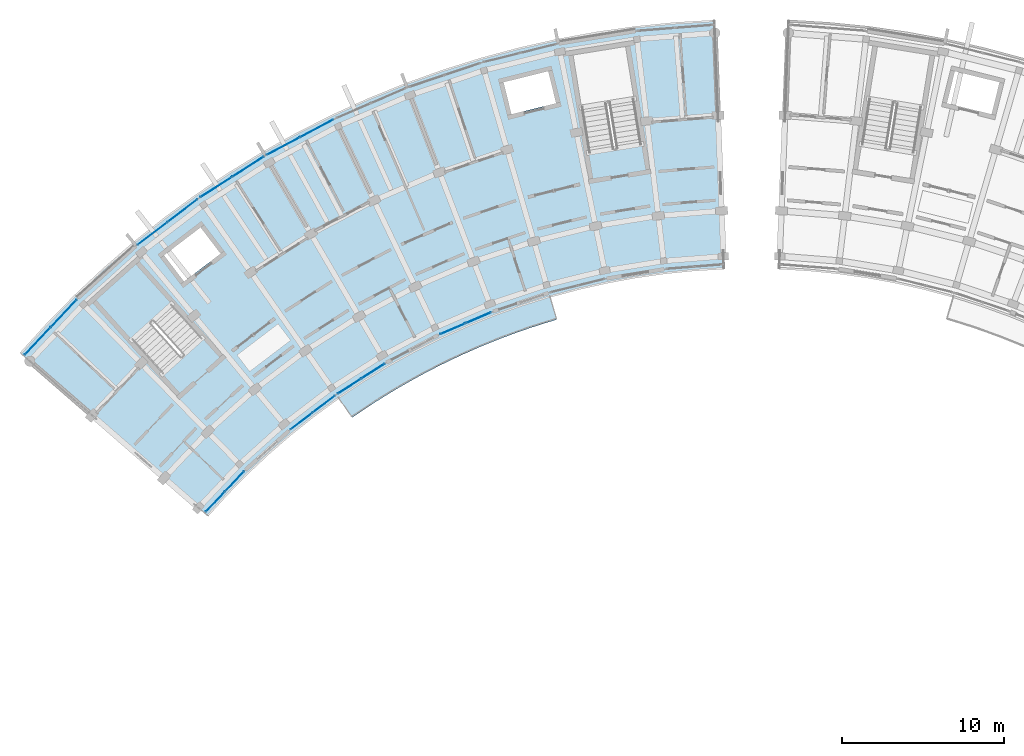
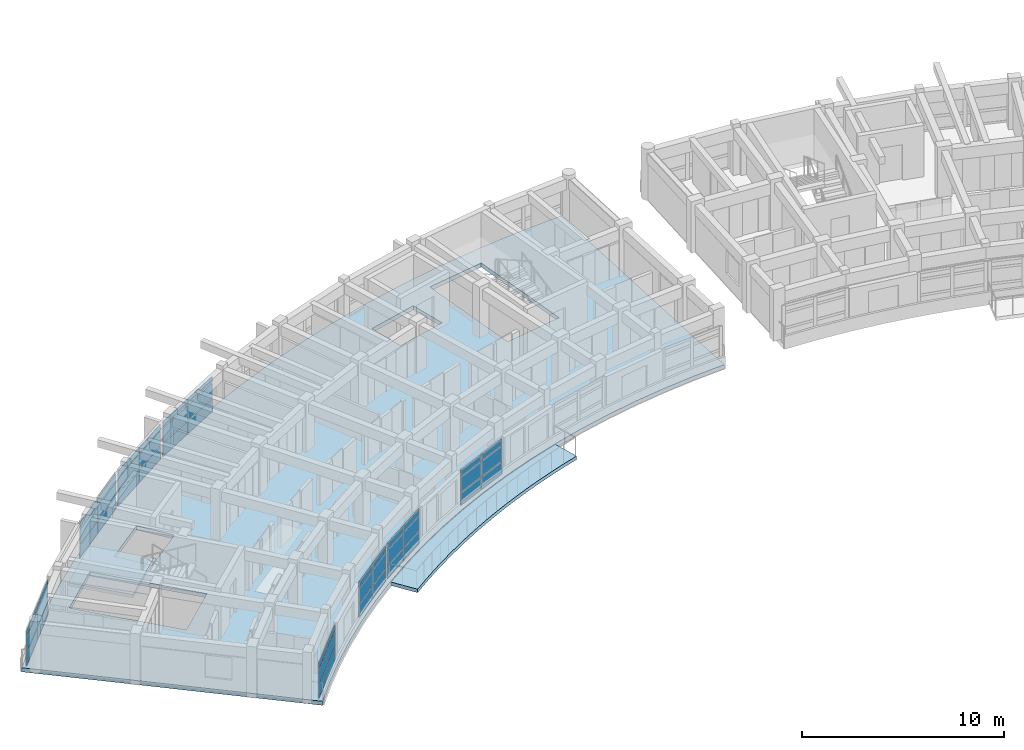
# One storey, part 20 of 54: 48 plates, 3 slabs, 9 elements without a shape of their own.
"""IFC4 building model written with IfcOpenShell, lengths in metres."""

from ifc_helpers import new_model, si_unit, direction, frame, origin, origin_2d, place, context, subcontext, project, spatial, polyline, rectangle, outline, extrude, material, layer, layer_set, type_object, element, aggregate, save


model = new_model("IFC4")

# Units and contexts
model_context = context("Model", 3, precision=1e-05, world=origin(), true_north=direction((0.0, 1.0)))
body_context = subcontext(model_context, "Body", "Model", "MODEL_VIEW")
ifc_project = project(units=[si_unit("LENGTHUNIT", "METRE"), si_unit("AREAUNIT", "SQUARE_METRE"), si_unit("VOLUMEUNIT", "CUBIC_METRE"), si_unit("PLANEANGLEUNIT", "RADIAN"), si_unit("MASSUNIT", "GRAM", prefix="KILO")], contexts=[model_context])

# Site, building, storey
site_placement = place(None, origin())
site = spatial("IfcSite", under=ifc_project, at=site_placement, CompositionType="ELEMENT")
building_placement = place(site_placement, origin())
building = spatial("IfcBuilding", under=site, at=building_placement, Name="Zimvara Arc Housing Community", CompositionType="ELEMENT")
storey_placement = place(building_placement, frame((0.0, 0.0, 23.60009765625)))
storey = spatial("IfcBuildingStorey", under=building, at=storey_placement, Name="L07", CompositionType="ELEMENT", Elevation=23.60009765625)

# Curtain wall, plates
ifc_material_1 = material(Name="Anodised Aluminium AW-6063", Category="aluminium")
curtain_wall_type_1 = type_object("IfcCurtainWallType", Name="CW-SYS-08", PredefinedType="USERDEFINED", material=ifc_material_1)
curtain_wall_1_placement = place(storey_placement, origin())
curtain_wall_1 = element("IfcCurtainWall", 1, at=curtain_wall_1_placement, inside=storey, type_object=curtain_wall_type_1, Name="cw:blkA:L07:in:b0", ObjectType="CURTAIN WALL", PredefinedType="USERDEFINED")
ifc_material_2 = material(Name="Pale-Gold Anodised Aluminium Spandrel Panel", Category="aluminium")
ifc_layer_1 = layer(ifc_material_2, 0.035888671875)
ifc_layer_set_1 = layer_set([ifc_layer_1], Name="Pale-Gold Anodised Aluminium Spandrel Panel")
plate_type_1 = type_object("IfcPlateType", Name="CWP-GLD-36", PredefinedType="CURTAIN_PANEL", material=ifc_layer_set_1)
plate_1_placement = place(storey_placement, frame((11.981689453125, 74.469482421875, 0.06494140625), z_axis=(0.0, 0.0, 1.0), x_axis=(0.686326805658, 0.727293280483, 0.0)))
plate_1 = element("IfcPlate", 2, at=plate_1_placement, type_object=plate_type_1, Name="CW08 panel 1.1", PredefinedType="CURTAIN_PANEL", context=body_context, shape_type="SweptSolid", body=[
    extrude(rectangle(XDim=1.664306640625, YDim=0.035888671875, at=origin_2d()), origin(), (0.0, 0.0, 1.0), 0.75244140625),
])
plate_2_placement = place(storey_placement, frame((11.981689453125, 74.469482421875, 0.88232421875), z_axis=(0.0, 0.0, 1.0), x_axis=(0.686326805658, 0.727293280483, 0.0)))
plate_2 = element("IfcPlate", 3, at=plate_2_placement, type_object=plate_type_1, Name="CW08 panel 1.2", PredefinedType="CURTAIN_PANEL", context=body_context, shape_type="SweptSolid", body=[
    extrude(rectangle(XDim=1.664306640625, YDim=0.035888671875, at=origin_2d()), origin(), (0.0, 0.0, 1.0), 0.885009765625),
])
plate_3_placement = place(storey_placement, frame((11.981689453125, 74.469482421875, 1.832275390625), z_axis=(0.0, 0.0, 1.0), x_axis=(0.686326805658, 0.727293280483, 0.0)))
plate_3 = element("IfcPlate", 4, at=plate_3_placement, type_object=plate_type_1, Name="CW08 panel 1.3", PredefinedType="CURTAIN_PANEL", context=body_context, shape_type="SweptSolid", body=[
    extrude(rectangle(XDim=1.664306640625, YDim=0.035888671875, at=origin_2d()), origin(), (0.0, 0.0, 1.0), 0.3525390625),
])
plate_4_placement = place(storey_placement, frame((13.168701171875, 75.727294921875, 0.06494140625), z_axis=(0.0, 0.0, 1.0), x_axis=(0.686326805658, 0.727293280483, 0.0)))
plate_4 = element("IfcPlate", 5, at=plate_4_placement, type_object=plate_type_1, Name="CW08 panel 2.1", PredefinedType="CURTAIN_PANEL", context=body_context, shape_type="SweptSolid", body=[
    extrude(rectangle(XDim=1.664306640625, YDim=0.035888671875, at=origin_2d()), origin(), (0.0, 0.0, 1.0), 0.75244140625),
])
plate_5_placement = place(storey_placement, frame((13.168701171875, 75.727294921875, 0.88232421875), z_axis=(0.0, 0.0, 1.0), x_axis=(0.686326805658, 0.727293280483, 0.0)))
plate_5 = element("IfcPlate", 6, at=plate_5_placement, type_object=plate_type_1, Name="CW08 panel 2.2", PredefinedType="CURTAIN_PANEL", context=body_context, shape_type="SweptSolid", body=[
    extrude(rectangle(XDim=1.664306640625, YDim=0.035888671875, at=origin_2d()), origin(), (0.0, 0.0, 1.0), 0.885009765625),
])
plate_6_placement = place(storey_placement, frame((13.168701171875, 75.727294921875, 1.832275390625), z_axis=(0.0, 0.0, 1.0), x_axis=(0.686326805658, 0.727293280483, 0.0)))
plate_6 = element("IfcPlate", 7, at=plate_6_placement, type_object=plate_type_1, Name="CW08 panel 2.3", PredefinedType="CURTAIN_PANEL", context=body_context, shape_type="SweptSolid", body=[
    extrude(rectangle(XDim=1.664306640625, YDim=0.035888671875, at=origin_2d()), origin(), (0.0, 0.0, 1.0), 0.3525390625),
])
aggregate(curtain_wall_1, [plate_1, plate_2, plate_3, plate_4, plate_5, plate_6])

ifc_material_3 = material(Name="Anodised Aluminium AW-6063", Category="aluminium")
curtain_wall_type_2 = type_object("IfcCurtainWallType", Name="CW-SYS-04", PredefinedType="USERDEFINED", material=ifc_material_3)
curtain_wall_2_placement = place(storey_placement, origin())
curtain_wall_2 = element("IfcCurtainWall", 8, at=curtain_wall_2_placement, inside=storey, type_object=curtain_wall_type_2, Name="cw:blkA:L07:in:b3", ObjectType="CURTAIN WALL", PredefinedType="USERDEFINED")
plate_7_placement = place(storey_placement, frame((20.23876953125, 81.58447265625, 0.06494140625), z_axis=(0.0, 0.0, 1.0), x_axis=(0.842264751752, 0.539064085203, 0.0)))
plate_7 = element("IfcPlate", 9, at=plate_7_placement, type_object=plate_type_1, Name="CW04 panel 1.1", PredefinedType="CURTAIN_PANEL", context=body_context, shape_type="SweptSolid", body=[
    extrude(rectangle(XDim=1.664306640625, YDim=0.035888671875, at=origin_2d()), origin(), (0.0, 0.0, 1.0), 0.75244140625),
])
plate_8_placement = place(storey_placement, frame((20.23876953125, 81.58447265625, 0.88232421875), z_axis=(0.0, 0.0, 1.0), x_axis=(0.842264751752, 0.539064085203, 0.0)))
plate_8 = element("IfcPlate", 10, at=plate_8_placement, type_object=plate_type_1, Name="CW04 panel 1.2", PredefinedType="CURTAIN_PANEL", context=body_context, shape_type="SweptSolid", body=[
    extrude(rectangle(XDim=1.664306640625, YDim=0.035888671875, at=origin_2d()), origin(), (0.0, 0.0, 1.0), 0.885009765625),
])
plate_9_placement = place(storey_placement, frame((20.23876953125, 81.58447265625, 1.832275390625), z_axis=(0.0, 0.0, 1.0), x_axis=(0.842264751752, 0.539064085203, 0.0)))
plate_9 = element("IfcPlate", 11, at=plate_9_placement, type_object=plate_type_1, Name="CW04 panel 1.3", PredefinedType="CURTAIN_PANEL", context=body_context, shape_type="SweptSolid", body=[
    extrude(rectangle(XDim=1.664306640625, YDim=0.035888671875, at=origin_2d()), origin(), (0.0, 0.0, 1.0), 0.3525390625),
])
plate_10_placement = place(storey_placement, frame((21.6953125, 82.5166015625, 0.06494140625), z_axis=(0.0, 0.0, 1.0), x_axis=(0.842264751752, 0.539064085203, 0.0)))
plate_10 = element("IfcPlate", 12, at=plate_10_placement, type_object=plate_type_1, Name="CW04 panel 2.1", PredefinedType="CURTAIN_PANEL", context=body_context, shape_type="SweptSolid", body=[
    extrude(rectangle(XDim=1.664306640625, YDim=0.035888671875, at=origin_2d()), origin(), (0.0, 0.0, 1.0), 0.75244140625),
])
plate_11_placement = place(storey_placement, frame((21.6953125, 82.5166015625, 0.88232421875), z_axis=(0.0, 0.0, 1.0), x_axis=(0.842264751752, 0.539064085203, 0.0)))
plate_11 = element("IfcPlate", 13, at=plate_11_placement, type_object=plate_type_1, Name="CW04 panel 2.2", PredefinedType="CURTAIN_PANEL", context=body_context, shape_type="SweptSolid", body=[
    extrude(rectangle(XDim=1.664306640625, YDim=0.035888671875, at=origin_2d()), origin(), (0.0, 0.0, 1.0), 0.885009765625),
])
plate_12_placement = place(storey_placement, frame((21.6953125, 82.5166015625, 1.832275390625), z_axis=(0.0, 0.0, 1.0), x_axis=(0.842264751752, 0.539064085203, 0.0)))
plate_12 = element("IfcPlate", 14, at=plate_12_placement, type_object=plate_type_1, Name="CW04 panel 2.3", PredefinedType="CURTAIN_PANEL", context=body_context, shape_type="SweptSolid", body=[
    extrude(rectangle(XDim=1.664306640625, YDim=0.035888671875, at=origin_2d()), origin(), (0.0, 0.0, 1.0), 0.3525390625),
])
aggregate(curtain_wall_2, [plate_7, plate_8, plate_9, plate_10, plate_11, plate_12])

ifc_material_4 = material(Name="Anodised Aluminium AW-6063", Category="aluminium")
curtain_wall_type_3 = type_object("IfcCurtainWallType", Name="CW-SYS-01", PredefinedType="USERDEFINED", material=ifc_material_4)
curtain_wall_3_placement = place(storey_placement, origin())
curtain_wall_3 = element("IfcCurtainWall", 15, at=curtain_wall_3_placement, inside=storey, type_object=curtain_wall_type_3, Name="cw:blkA:L07:out:b2", ObjectType="CURTAIN WALL", PredefinedType="USERDEFINED")
ifc_material_5 = material(Name="Solar Control Low-E Double Glazing", Category="glass")
ifc_layer_2 = layer(ifc_material_5, 0.02392578125)
ifc_layer_set_2 = layer_set([ifc_layer_2], Name="Solar Control Low-E Double Glazing")
plate_type_2 = type_object("IfcPlateType", Name="CWP-GLZ-24", PredefinedType="CURTAIN_PANEL", material=ifc_layer_set_2)
plate_13_placement = place(storey_placement, frame((8.118896484375, 90.9892578125, 0.06494140625), z_axis=(0.0, 0.0, 1.0), x_axis=(0.795473999177, 0.60598771987, 0.0)))
plate_13 = element("IfcPlate", 16, at=plate_13_placement, type_object=plate_type_2, Name="CW01 panel 1.1", PredefinedType="CURTAIN_PANEL", context=body_context, shape_type="SweptSolid", body=[
    extrude(rectangle(XDim=2.266845703125, YDim=0.02392578125, at=origin_2d()), origin(), (0.0, 0.0, 1.0), 0.75244140625),
])
plate_14_placement = place(storey_placement, frame((8.118896484375, 90.9892578125, 0.88232421875), z_axis=(0.0, 0.0, 1.0), x_axis=(0.795473999177, 0.60598771987, 0.0)))
plate_14 = element("IfcPlate", 17, at=plate_14_placement, type_object=plate_type_2, Name="CW01 panel 1.2", PredefinedType="CURTAIN_PANEL", context=body_context, shape_type="SweptSolid", body=[
    extrude(rectangle(XDim=2.266845703125, YDim=0.02392578125, at=origin_2d()), origin(), (0.0, 0.0, 1.0), 0.885009765625),
])
plate_15_placement = place(storey_placement, frame((8.118896484375, 90.9892578125, 1.832275390625), z_axis=(0.0, 0.0, 1.0), x_axis=(0.795473999177, 0.60598771987, 0.0)))
plate_15 = element("IfcPlate", 18, at=plate_15_placement, type_object=plate_type_2, Name="CW01 panel 1.3", PredefinedType="CURTAIN_PANEL", context=body_context, shape_type="SweptSolid", body=[
    extrude(rectangle(XDim=2.266845703125, YDim=0.02392578125, at=origin_2d()), origin(), (0.0, 0.0, 1.0), 0.3525390625),
])
plate_16_placement = place(storey_placement, frame((9.973876953125, 92.40234375, 0.06494140625), z_axis=(0.0, 0.0, 1.0), x_axis=(0.795473999177, 0.60598771987, 0.0)))
plate_16 = element("IfcPlate", 19, at=plate_16_placement, type_object=plate_type_2, Name="CW01 panel 2.1", PredefinedType="CURTAIN_PANEL", context=body_context, shape_type="SweptSolid", body=[
    extrude(rectangle(XDim=2.266845703125, YDim=0.02392578125, at=origin_2d()), origin(), (0.0, 0.0, 1.0), 0.75244140625),
])
plate_17_placement = place(storey_placement, frame((9.973876953125, 92.40234375, 0.88232421875), z_axis=(0.0, 0.0, 1.0), x_axis=(0.795473999177, 0.60598771987, 0.0)))
plate_17 = element("IfcPlate", 20, at=plate_17_placement, type_object=plate_type_2, Name="CW01 panel 2.2", PredefinedType="CURTAIN_PANEL", context=body_context, shape_type="SweptSolid", body=[
    extrude(rectangle(XDim=2.266845703125, YDim=0.02392578125, at=origin_2d()), origin(), (0.0, 0.0, 1.0), 0.885009765625),
])
plate_18_placement = place(storey_placement, frame((9.973876953125, 92.40234375, 1.832275390625), z_axis=(0.0, 0.0, 1.0), x_axis=(0.795473999177, 0.60598771987, 0.0)))
plate_18 = element("IfcPlate", 21, at=plate_18_placement, type_object=plate_type_2, Name="CW01 panel 2.3", PredefinedType="CURTAIN_PANEL", context=body_context, shape_type="SweptSolid", body=[
    extrude(rectangle(XDim=2.266845703125, YDim=0.02392578125, at=origin_2d()), origin(), (0.0, 0.0, 1.0), 0.3525390625),
])
aggregate(curtain_wall_3, [plate_13, plate_14, plate_15, plate_16, plate_17, plate_18])

ifc_material_6 = material(Name="Anodised Aluminium AW-6063", Category="aluminium")
curtain_wall_type_4 = type_object("IfcCurtainWallType", Name="CW-SYS-05", PredefinedType="USERDEFINED", material=ifc_material_6)
curtain_wall_4_placement = place(storey_placement, origin())
curtain_wall_4 = element("IfcCurtainWall", 22, at=curtain_wall_4_placement, inside=storey, type_object=curtain_wall_type_4, Name="cw:blkA:L07:out:b4", ObjectType="CURTAIN WALL", PredefinedType="USERDEFINED")
plate_19_placement = place(storey_placement, frame((16.1708984375, 96.36865234375, 0.06494140625), z_axis=(0.0, 0.0, 1.0), x_axis=(0.883438614651, 0.468546917761, 0.0)))
plate_19 = element("IfcPlate", 23, at=plate_19_placement, type_object=plate_type_2, Name="CW05 panel 1.1", PredefinedType="CURTAIN_PANEL", context=body_context, shape_type="SweptSolid", body=[
    extrude(rectangle(XDim=2.266845703125, YDim=0.02392578125, at=origin_2d()), origin(), (0.0, 0.0, 1.0), 0.75244140625),
])
plate_20_placement = place(storey_placement, frame((16.1708984375, 96.36865234375, 0.88232421875), z_axis=(0.0, 0.0, 1.0), x_axis=(0.883438614651, 0.468546917761, 0.0)))
plate_20 = element("IfcPlate", 24, at=plate_20_placement, type_object=plate_type_2, Name="CW05 panel 1.2", PredefinedType="CURTAIN_PANEL", context=body_context, shape_type="SweptSolid", body=[
    extrude(rectangle(XDim=2.266845703125, YDim=0.02392578125, at=origin_2d()), origin(), (0.0, 0.0, 1.0), 0.885009765625),
])
plate_21_placement = place(storey_placement, frame((16.1708984375, 96.36865234375, 1.832275390625), z_axis=(0.0, 0.0, 1.0), x_axis=(0.883438614651, 0.468546917761, 0.0)))
plate_21 = element("IfcPlate", 25, at=plate_21_placement, type_object=plate_type_2, Name="CW05 panel 1.3", PredefinedType="CURTAIN_PANEL", context=body_context, shape_type="SweptSolid", body=[
    extrude(rectangle(XDim=2.266845703125, YDim=0.02392578125, at=origin_2d()), origin(), (0.0, 0.0, 1.0), 0.3525390625),
])
plate_22_placement = place(storey_placement, frame((18.23095703125, 97.461181640625, 0.06494140625), z_axis=(0.0, 0.0, 1.0), x_axis=(0.883438614651, 0.468546917761, 0.0)))
plate_22 = element("IfcPlate", 26, at=plate_22_placement, type_object=plate_type_2, Name="CW05 panel 2.1", PredefinedType="CURTAIN_PANEL", context=body_context, shape_type="SweptSolid", body=[
    extrude(rectangle(XDim=2.266845703125, YDim=0.02392578125, at=origin_2d()), origin(), (0.0, 0.0, 1.0), 0.75244140625),
])
plate_23_placement = place(storey_placement, frame((18.23095703125, 97.461181640625, 0.88232421875), z_axis=(0.0, 0.0, 1.0), x_axis=(0.883438614651, 0.468546917761, 0.0)))
plate_23 = element("IfcPlate", 27, at=plate_23_placement, type_object=plate_type_2, Name="CW05 panel 2.2", PredefinedType="CURTAIN_PANEL", context=body_context, shape_type="SweptSolid", body=[
    extrude(rectangle(XDim=2.266845703125, YDim=0.02392578125, at=origin_2d()), origin(), (0.0, 0.0, 1.0), 0.885009765625),
])
plate_24_placement = place(storey_placement, frame((18.23095703125, 97.461181640625, 1.832275390625), z_axis=(0.0, 0.0, 1.0), x_axis=(0.883438614651, 0.468546917761, 0.0)))
plate_24 = element("IfcPlate", 28, at=plate_24_placement, type_object=plate_type_2, Name="CW05 panel 2.3", PredefinedType="CURTAIN_PANEL", context=body_context, shape_type="SweptSolid", body=[
    extrude(rectangle(XDim=2.266845703125, YDim=0.02392578125, at=origin_2d()), origin(), (0.0, 0.0, 1.0), 0.3525390625),
])
aggregate(curtain_wall_4, [plate_19, plate_20, plate_21, plate_22, plate_23, plate_24])

ifc_material_7 = material(Name="Anodised Aluminium AW-6063", Category="aluminium")
curtain_wall_type_5 = type_object("IfcCurtainWallType", Name="CW-SYS-02", PredefinedType="USERDEFINED", material=ifc_material_7)
curtain_wall_5_placement = place(storey_placement, origin())
curtain_wall_5 = element("IfcCurtainWall", 29, at=curtain_wall_5_placement, inside=storey, type_object=curtain_wall_type_5, Name="cw:blkA:L07:in:b2", ObjectType="CURTAIN WALL", PredefinedType="USERDEFINED")
ifc_material_8 = material(Name="Solar Control Low-E Double Glazing", Category="glass")
ifc_layer_3 = layer(ifc_material_8, 0.028076171875)
ifc_layer_set_3 = layer_set([ifc_layer_3], Name="Solar Control Low-E Double Glazing")
plate_type_3 = type_object("IfcPlateType", Name="CWP-GLZ-28", PredefinedType="CURTAIN_PANEL", material=ifc_layer_set_3)
plate_25_placement = place(storey_placement, frame((17.295654296875, 79.4404296875, 0.06494140625), z_axis=(0.0, 0.0, 1.0), x_axis=(0.795473543119, 0.605988318533, 0.0)))
plate_25 = element("IfcPlate", 30, at=plate_25_placement, type_object=plate_type_3, Name="CW02 panel 1.1", PredefinedType="CURTAIN_PANEL", context=body_context, shape_type="SweptSolid", body=[
    extrude(rectangle(XDim=1.664306640625, YDim=0.028076171875, at=origin_2d()), origin(), (0.0, 0.0, 1.0), 0.75244140625),
])
plate_26_placement = place(storey_placement, frame((17.295654296875, 79.4404296875, 0.88232421875), z_axis=(0.0, 0.0, 1.0), x_axis=(0.795473543119, 0.605988318533, 0.0)))
plate_26 = element("IfcPlate", 31, at=plate_26_placement, type_object=plate_type_3, Name="CW02 panel 1.2", PredefinedType="CURTAIN_PANEL", context=body_context, shape_type="SweptSolid", body=[
    extrude(rectangle(XDim=1.664306640625, YDim=0.028076171875, at=origin_2d()), origin(), (0.0, 0.0, 1.0), 0.885009765625),
])
plate_27_placement = place(storey_placement, frame((17.295654296875, 79.4404296875, 1.832275390625), z_axis=(0.0, 0.0, 1.0), x_axis=(0.795473543119, 0.605988318533, 0.0)))
plate_27 = element("IfcPlate", 32, at=plate_27_placement, type_object=plate_type_3, Name="CW02 panel 1.3", PredefinedType="CURTAIN_PANEL", context=body_context, shape_type="SweptSolid", body=[
    extrude(rectangle(XDim=1.664306640625, YDim=0.028076171875, at=origin_2d()), origin(), (0.0, 0.0, 1.0), 0.3525390625),
])
plate_28_placement = place(storey_placement, frame((18.671142578125, 80.48828125, 0.06494140625), z_axis=(0.0, 0.0, 1.0), x_axis=(0.795473543119, 0.605988318533, 0.0)))
plate_28 = element("IfcPlate", 33, at=plate_28_placement, type_object=plate_type_3, Name="CW02 panel 2.1", PredefinedType="CURTAIN_PANEL", context=body_context, shape_type="SweptSolid", body=[
    extrude(rectangle(XDim=1.664306640625, YDim=0.028076171875, at=origin_2d()), origin(), (0.0, 0.0, 1.0), 0.75244140625),
])
plate_29_placement = place(storey_placement, frame((18.671142578125, 80.48828125, 0.88232421875), z_axis=(0.0, 0.0, 1.0), x_axis=(0.795473543119, 0.605988318533, 0.0)))
plate_29 = element("IfcPlate", 34, at=plate_29_placement, type_object=plate_type_3, Name="CW02 panel 2.2", PredefinedType="CURTAIN_PANEL", context=body_context, shape_type="SweptSolid", body=[
    extrude(rectangle(XDim=1.664306640625, YDim=0.028076171875, at=origin_2d()), origin(), (0.0, 0.0, 1.0), 0.885009765625),
])
plate_30_placement = place(storey_placement, frame((18.671142578125, 80.48828125, 1.832275390625), z_axis=(0.0, 0.0, 1.0), x_axis=(0.795473543119, 0.605988318533, 0.0)))
plate_30 = element("IfcPlate", 35, at=plate_30_placement, type_object=plate_type_3, Name="CW02 panel 2.3", PredefinedType="CURTAIN_PANEL", context=body_context, shape_type="SweptSolid", body=[
    extrude(rectangle(XDim=1.664306640625, YDim=0.028076171875, at=origin_2d()), origin(), (0.0, 0.0, 1.0), 0.3525390625),
])
aggregate(curtain_wall_5, [plate_25, plate_26, plate_27, plate_28, plate_29, plate_30])

ifc_material_9 = material(Name="Anodised Aluminium AW-6063", Category="aluminium")
curtain_wall_type_6 = type_object("IfcCurtainWallType", Name="CW-SYS-07", PredefinedType="USERDEFINED", material=ifc_material_9)
curtain_wall_6_placement = place(storey_placement, origin())
curtain_wall_6 = element("IfcCurtainWall", 36, at=curtain_wall_6_placement, inside=storey, type_object=curtain_wall_type_6, Name="cw:blkA:L07:out:b0", ObjectType="CURTAIN WALL", PredefinedType="USERDEFINED")
ifc_material_10 = material(Name="Acoustic Laminated Solar Glazing", Category="glass")
ifc_layer_4 = layer(ifc_material_10, 0.031982421875)
ifc_layer_set_4 = layer_set([ifc_layer_4], Name="Acoustic Laminated Solar Glazing")
plate_type_4 = type_object("IfcPlateType", Name="CWP-GLZ-32", PredefinedType="CURTAIN_PANEL", material=ifc_layer_set_4)
plate_31_placement = place(storey_placement, frame((1.049072265625, 84.3720703125, 0.06494140625), z_axis=(0.0, 0.0, 1.0), x_axis=(0.686326416495, 0.727293647725, 0.0)))
plate_31 = element("IfcPlate", 37, at=plate_31_placement, type_object=plate_type_4, Name="CW07 panel 1.1", PredefinedType="CURTAIN_PANEL", context=body_context, shape_type="SweptSolid", body=[
    extrude(rectangle(XDim=2.266845703125, YDim=0.031982421875, at=origin_2d()), origin(), (0.0, 0.0, 1.0), 0.75244140625),
])
plate_32_placement = place(storey_placement, frame((1.049072265625, 84.3720703125, 0.88232421875), z_axis=(0.0, 0.0, 1.0), x_axis=(0.686326416495, 0.727293647725, 0.0)))
plate_32 = element("IfcPlate", 38, at=plate_32_placement, type_object=plate_type_4, Name="CW07 panel 1.2", PredefinedType="CURTAIN_PANEL", context=body_context, shape_type="SweptSolid", body=[
    extrude(rectangle(XDim=2.266845703125, YDim=0.031982421875, at=origin_2d()), origin(), (0.0, 0.0, 1.0), 0.885009765625),
])
plate_33_placement = place(storey_placement, frame((1.049072265625, 84.3720703125, 1.832275390625), z_axis=(0.0, 0.0, 1.0), x_axis=(0.686326416495, 0.727293647725, 0.0)))
plate_33 = element("IfcPlate", 39, at=plate_33_placement, type_object=plate_type_4, Name="CW07 panel 1.3", PredefinedType="CURTAIN_PANEL", context=body_context, shape_type="SweptSolid", body=[
    extrude(rectangle(XDim=2.266845703125, YDim=0.031982421875, at=origin_2d()), origin(), (0.0, 0.0, 1.0), 0.3525390625),
])
plate_34_placement = place(storey_placement, frame((2.649658203125, 86.068115234375, 0.06494140625), z_axis=(0.0, 0.0, 1.0), x_axis=(0.686326416495, 0.727293647725, 0.0)))
plate_34 = element("IfcPlate", 40, at=plate_34_placement, type_object=plate_type_4, Name="CW07 panel 2.1", PredefinedType="CURTAIN_PANEL", context=body_context, shape_type="SweptSolid", body=[
    extrude(rectangle(XDim=2.266845703125, YDim=0.031982421875, at=origin_2d()), origin(), (0.0, 0.0, 1.0), 0.75244140625),
])
plate_35_placement = place(storey_placement, frame((2.649658203125, 86.068115234375, 0.88232421875), z_axis=(0.0, 0.0, 1.0), x_axis=(0.686326416495, 0.727293647725, 0.0)))
plate_35 = element("IfcPlate", 41, at=plate_35_placement, type_object=plate_type_4, Name="CW07 panel 2.2", PredefinedType="CURTAIN_PANEL", context=body_context, shape_type="SweptSolid", body=[
    extrude(rectangle(XDim=2.266845703125, YDim=0.031982421875, at=origin_2d()), origin(), (0.0, 0.0, 1.0), 0.885009765625),
])
plate_36_placement = place(storey_placement, frame((2.649658203125, 86.068115234375, 1.832275390625), z_axis=(0.0, 0.0, 1.0), x_axis=(0.686326416495, 0.727293647725, 0.0)))
plate_36 = element("IfcPlate", 42, at=plate_36_placement, type_object=plate_type_4, Name="CW07 panel 2.3", PredefinedType="CURTAIN_PANEL", context=body_context, shape_type="SweptSolid", body=[
    extrude(rectangle(XDim=2.266845703125, YDim=0.031982421875, at=origin_2d()), origin(), (0.0, 0.0, 1.0), 0.3525390625),
])
aggregate(curtain_wall_6, [plate_31, plate_32, plate_33, plate_34, plate_35, plate_36])

ifc_material_11 = material(Name="Anodised Aluminium AW-6063", Category="aluminium")
curtain_wall_type_7 = type_object("IfcCurtainWallType", Name="CW-SYS-03", PredefinedType="USERDEFINED", material=ifc_material_11)
curtain_wall_7_placement = place(storey_placement, origin())
curtain_wall_7 = element("IfcCurtainWall", 43, at=curtain_wall_7_placement, inside=storey, type_object=curtain_wall_type_7, Name="cw:blkA:L07:out:b3", ObjectType="CURTAIN WALL", PredefinedType="USERDEFINED")
plate_37_placement = place(storey_placement, frame((12.034912109375, 93.843505859375, 0.06494140625), z_axis=(0.0, 0.0, 1.0), x_axis=(0.842264410931, 0.539064617721, 0.0)))
plate_37 = element("IfcPlate", 44, at=plate_37_placement, type_object=plate_type_4, Name="CW03 panel 1.1", PredefinedType="CURTAIN_PANEL", context=body_context, shape_type="SweptSolid", body=[
    extrude(rectangle(XDim=2.266845703125, YDim=0.031982421875, at=origin_2d()), origin(), (0.0, 0.0, 1.0), 0.75244140625),
])
plate_38_placement = place(storey_placement, frame((12.034912109375, 93.843505859375, 0.88232421875), z_axis=(0.0, 0.0, 1.0), x_axis=(0.842264410931, 0.539064617721, 0.0)))
plate_38 = element("IfcPlate", 45, at=plate_38_placement, type_object=plate_type_4, Name="CW03 panel 1.2", PredefinedType="CURTAIN_PANEL", context=body_context, shape_type="SweptSolid", body=[
    extrude(rectangle(XDim=2.266845703125, YDim=0.031982421875, at=origin_2d()), origin(), (0.0, 0.0, 1.0), 0.885009765625),
])
plate_39_placement = place(storey_placement, frame((12.034912109375, 93.843505859375, 1.832275390625), z_axis=(0.0, 0.0, 1.0), x_axis=(0.842264410931, 0.539064617721, 0.0)))
plate_39 = element("IfcPlate", 46, at=plate_39_placement, type_object=plate_type_4, Name="CW03 panel 1.3", PredefinedType="CURTAIN_PANEL", context=body_context, shape_type="SweptSolid", body=[
    extrude(rectangle(XDim=2.266845703125, YDim=0.031982421875, at=origin_2d()), origin(), (0.0, 0.0, 1.0), 0.3525390625),
])
plate_40_placement = place(storey_placement, frame((13.9990234375, 95.1005859375, 0.06494140625), z_axis=(0.0, 0.0, 1.0), x_axis=(0.842264410931, 0.539064617721, 0.0)))
plate_40 = element("IfcPlate", 47, at=plate_40_placement, type_object=plate_type_4, Name="CW03 panel 2.1", PredefinedType="CURTAIN_PANEL", context=body_context, shape_type="SweptSolid", body=[
    extrude(rectangle(XDim=2.266845703125, YDim=0.031982421875, at=origin_2d()), origin(), (0.0, 0.0, 1.0), 0.75244140625),
])
plate_41_placement = place(storey_placement, frame((13.9990234375, 95.1005859375, 0.88232421875), z_axis=(0.0, 0.0, 1.0), x_axis=(0.842264410931, 0.539064617721, 0.0)))
plate_41 = element("IfcPlate", 48, at=plate_41_placement, type_object=plate_type_4, Name="CW03 panel 2.2", PredefinedType="CURTAIN_PANEL", context=body_context, shape_type="SweptSolid", body=[
    extrude(rectangle(XDim=2.266845703125, YDim=0.031982421875, at=origin_2d()), origin(), (0.0, 0.0, 1.0), 0.885009765625),
])
plate_42_placement = place(storey_placement, frame((13.9990234375, 95.1005859375, 1.832275390625), z_axis=(0.0, 0.0, 1.0), x_axis=(0.842264410931, 0.539064617721, 0.0)))
plate_42 = element("IfcPlate", 49, at=plate_42_placement, type_object=plate_type_4, Name="CW03 panel 2.3", PredefinedType="CURTAIN_PANEL", context=body_context, shape_type="SweptSolid", body=[
    extrude(rectangle(XDim=2.266845703125, YDim=0.031982421875, at=origin_2d()), origin(), (0.0, 0.0, 1.0), 0.3525390625),
])
aggregate(curtain_wall_7, [plate_37, plate_38, plate_39, plate_40, plate_41, plate_42])

curtain_wall_8_placement = place(storey_placement, origin())
curtain_wall_8 = element("IfcCurtainWall", 50, at=curtain_wall_8_placement, inside=storey, type_object=curtain_wall_type_6, Name="cw:blkA:L07:in:b5", ObjectType="CURTAIN WALL", PredefinedType="USERDEFINED")
plate_43_placement = place(storey_placement, frame((26.599609375, 85.11767578125, 0.06494140625), z_axis=(0.0, 0.0, 1.0), x_axis=(0.918722178415, 0.394904493375, 0.0)))
plate_43 = element("IfcPlate", 51, at=plate_43_placement, type_object=plate_type_4, Name="CW07 panel 1.1", PredefinedType="CURTAIN_PANEL", context=body_context, shape_type="SweptSolid", body=[
    extrude(rectangle(XDim=1.664306640625, YDim=0.031982421875, at=origin_2d()), origin(), (0.0, 0.0, 1.0), 0.75244140625),
])
plate_44_placement = place(storey_placement, frame((26.599609375, 85.11767578125, 0.88232421875), z_axis=(0.0, 0.0, 1.0), x_axis=(0.918722178415, 0.394904493375, 0.0)))
plate_44 = element("IfcPlate", 52, at=plate_44_placement, type_object=plate_type_4, Name="CW07 panel 1.2", PredefinedType="CURTAIN_PANEL", context=body_context, shape_type="SweptSolid", body=[
    extrude(rectangle(XDim=1.664306640625, YDim=0.031982421875, at=origin_2d()), origin(), (0.0, 0.0, 1.0), 0.885009765625),
])
plate_45_placement = place(storey_placement, frame((26.599609375, 85.11767578125, 1.832275390625), z_axis=(0.0, 0.0, 1.0), x_axis=(0.918722178415, 0.394904493375, 0.0)))
plate_45 = element("IfcPlate", 53, at=plate_45_placement, type_object=plate_type_4, Name="CW07 panel 1.3", PredefinedType="CURTAIN_PANEL", context=body_context, shape_type="SweptSolid", body=[
    extrude(rectangle(XDim=1.664306640625, YDim=0.031982421875, at=origin_2d()), origin(), (0.0, 0.0, 1.0), 0.3525390625),
])
plate_46_placement = place(storey_placement, frame((28.1884765625, 85.80078125, 0.06494140625), z_axis=(0.0, 0.0, 1.0), x_axis=(0.918722178415, 0.394904493375, 0.0)))
plate_46 = element("IfcPlate", 54, at=plate_46_placement, type_object=plate_type_4, Name="CW07 panel 2.1", PredefinedType="CURTAIN_PANEL", context=body_context, shape_type="SweptSolid", body=[
    extrude(rectangle(XDim=1.664306640625, YDim=0.031982421875, at=origin_2d()), origin(), (0.0, 0.0, 1.0), 0.75244140625),
])
plate_47_placement = place(storey_placement, frame((28.1884765625, 85.80078125, 0.88232421875), z_axis=(0.0, 0.0, 1.0), x_axis=(0.918722178415, 0.394904493375, 0.0)))
plate_47 = element("IfcPlate", 55, at=plate_47_placement, type_object=plate_type_4, Name="CW07 panel 2.2", PredefinedType="CURTAIN_PANEL", context=body_context, shape_type="SweptSolid", body=[
    extrude(rectangle(XDim=1.664306640625, YDim=0.031982421875, at=origin_2d()), origin(), (0.0, 0.0, 1.0), 0.885009765625),
])
plate_48_placement = place(storey_placement, frame((28.1884765625, 85.80078125, 1.832275390625), z_axis=(0.0, 0.0, 1.0), x_axis=(0.918722178415, 0.394904493375, 0.0)))
plate_48 = element("IfcPlate", 56, at=plate_48_placement, type_object=plate_type_4, Name="CW07 panel 2.3", PredefinedType="CURTAIN_PANEL", context=body_context, shape_type="SweptSolid", body=[
    extrude(rectangle(XDim=1.664306640625, YDim=0.031982421875, at=origin_2d()), origin(), (0.0, 0.0, 1.0), 0.3525390625),
])
aggregate(curtain_wall_8, [plate_43, plate_44, plate_45, plate_46, plate_47, plate_48])

# Stair, slab
ifc_material_12 = material(Name="Concrete C35/45", Category="concrete")
stair_type = type_object("IfcStairType", Name="STR-DL-312-310", PredefinedType="HALF_TURN_STAIR", material=ifc_material_12)
stair_placement = place(storey_placement, origin())
stair = element("IfcStair", 57, at=stair_placement, inside=storey, type_object=stair_type, Name="L07 Block A Exit Stair 1", PredefinedType="HALF_TURN_STAIR")
ifc_material_13 = material(Name="Concrete C35/45", Category="concrete")
ifc_layer_5 = layer(ifc_material_13, 0.199951171875)
ifc_layer_set_5 = layer_set([ifc_layer_5], Name="Concrete C35/45")
slab_type_1 = type_object("IfcSlabType", Name="SLB-STAIR-LND-200", PredefinedType="LANDING", material=ifc_layer_set_5)
slab_1_placement = place(storey_placement, frame((0.0, 0.0, 1.349853515625)))
slab_1 = element("IfcSlab", 58, at=slab_1_placement, type_object=slab_type_1, Name="ST-A1 landing 1", PredefinedType="LANDING", context=body_context, shape_type="SweptSolid", body=[
    extrude(outline(polyline([(9.3486328125, 86.634521484375), (7.09326171875, 89.14111328125), (4.595458984375, 86.8935546875), (6.850830078125, 84.386962890625), (9.3486328125, 86.634521484375)])), origin(), (0.0, 0.0, 1.0), 0.199951171875),
])
aggregate(stair, [slab_1])

# Slabs
ifc_material_14 = material(Name="Concrete C35/45", Category="concrete")
ifc_layer_6 = layer(ifc_material_14, 0.2099609375)
ifc_layer_set_6 = layer_set([ifc_layer_6], Name="Concrete C35/45")
slab_type_2 = type_object("IfcSlabType", Name="SLB-TER-210", PredefinedType="FLOOR", material=ifc_layer_set_6)
slab_2_placement = place(storey_placement, frame((0.0, 0.0, -0.210205078125)))
element("IfcSlab", 59, at=slab_2_placement, inside=storey, type_object=slab_type_2, Name="slab:blkA:L07:bal_in", PredefinedType="FLOOR", context=body_context, shape_type="SweptSolid", body=[
    extrude(outline(polyline([(32.59130859375, 87.099609375), (30.862548828125, 86.557373046875), (29.156982421875, 85.945068359375), (27.47802734375, 85.263671875), (25.828369140625, 84.514404296875), (24.210693359375, 83.6982421875), (22.62744140625, 82.816650390625), (21.081787109375, 81.871337890625), (19.57568359375, 80.863525390625), (20.418212890625, 79.65869140625), (21.14111328125, 80.1533203125), (21.8740234375, 80.633056640625), (22.61669921875, 81.097900390625), (23.36865234375, 81.547119140625), (24.129638671875, 81.981201171875), (24.8994140625, 82.3994140625), (25.677490234375, 82.802001953125), (26.463623046875, 83.188720703125), (27.25732421875, 83.55908203125), (28.05859375, 83.9130859375), (28.866943359375, 84.2509765625), (29.681884765625, 84.572021484375), (30.50341796875, 84.87646484375), (31.330810546875, 85.1640625), (32.1640625, 85.4345703125), (33.00244140625, 85.688232421875), (32.59130859375, 87.099609375)])), origin(), (0.0, 0.0, 1.0), 0.210205078125),
])
ifc_material_15 = material(Name="Concrete C35/45", Category="concrete")
ifc_layer_7 = layer(ifc_material_15, 0.248046875)
ifc_layer_set_7 = layer_set([ifc_layer_7], Name="Concrete C35/45")
slab_type_3 = type_object("IfcSlabType", Name="SLB-VAR-08", PredefinedType="FLOOR", material=ifc_layer_set_7)
slab_3_placement = place(storey_placement, frame((0.0, 0.0, -0.248046875)))
element("IfcSlab", 60, at=slab_3_placement, inside=storey, type_object=slab_type_3, Name="slab:blkA:L07:main", PredefinedType="FLOOR", context=body_context, shape_type="SweptSolid", body=[
    extrude(outline(polyline([(11.490966796875, 73.62890625), (12.708251953125, 74.972900390625), (13.979248046875, 76.265869140625), (15.302001953125, 77.506103515625), (16.674560546875, 78.69091796875), (18.093994140625, 79.819091796875), (19.55859375, 80.88818359375), (21.0654296875, 81.896484375), (22.6123046875, 82.842529296875), (24.196533203125, 83.724609375), (25.8154296875, 84.541259765625), (27.46630859375, 85.291259765625), (29.146240234375, 85.97314453125), (30.852783203125, 86.5859375), (32.5830078125, 87.12841796875), (34.333984375, 87.599853515625), (36.1025390625, 87.999267578125), (37.885986328125, 88.326416015625), (39.681396484375, 88.580322265625), (41.485595703125, 88.7607421875), (43.295654296875, 88.8671875), (42.712158203125, 104.05615234375), (40.282470703125, 103.9130859375), (37.860595703125, 103.6708984375), (35.450439453125, 103.330078125), (33.056640625, 102.89111328125), (30.682373046875, 102.354736328125), (28.332275390625, 101.721923828125), (26.009765625, 100.99365234375), (23.718994140625, 100.171142578125), (21.463623046875, 99.255859375), (19.247802734375, 98.249267578125), (17.07470703125, 97.15283203125), (14.947998046875, 95.96875), (12.871826171875, 94.698974609375), (10.848876953125, 93.34521484375), (8.883056640625, 91.91015625), (6.9775390625, 90.39599609375), (5.13525390625, 88.805419921875), (3.359619140625, 87.140869140625), (1.6533203125, 85.405029296875), (0.019287109375, 83.60107421875), (11.490966796875, 73.62890625)]), holes=[polyline([(8.73193359375, 82.356201171875), (4.65185546875, 86.890625), (7.090087890625, 89.08447265625), (11.17041015625, 84.550048828125), (8.73193359375, 82.356201171875)]), polyline([(34.9853515625, 95.960205078125), (34.008056640625, 101.9814453125), (37.24560546875, 102.507080078125), (38.222900390625, 96.48583984375), (34.9853515625, 95.960205078125)]), polyline([(10.05615234375, 88.02685546875), (8.820068359375, 89.649658203125), (11.0791015625, 91.37060546875), (12.3154296875, 89.747802734375), (10.05615234375, 88.02685546875)]), polyline([(30.216796875, 98.324951171875), (29.726806640625, 100.30517578125), (32.483642578125, 100.9873046875), (32.9736328125, 99.007080078125), (30.216796875, 98.324951171875)])]), origin(), (0.0, 0.0, 1.0), 0.248046875),
])

save(model, "model.ifc")
